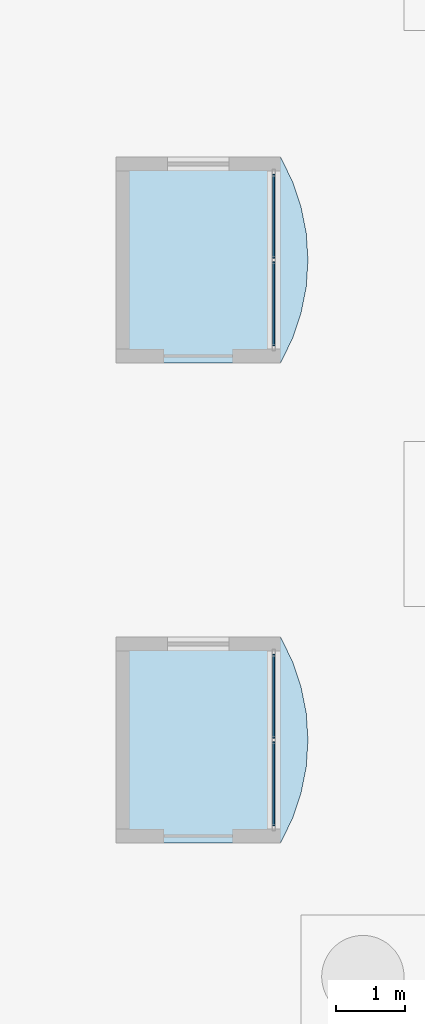
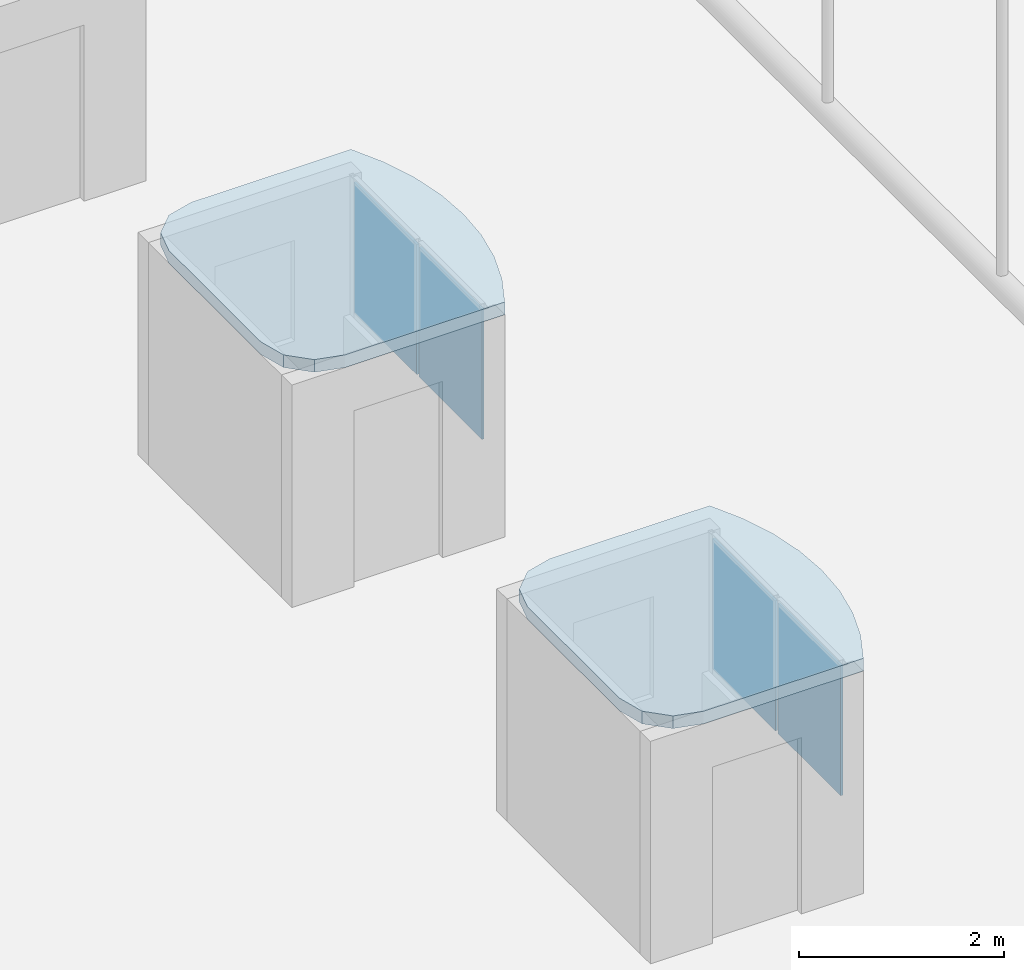
# One storey, part 168 of 212: 4 plates, 2 slabs, 2 elements without a shape of their own.
"""IFC4 building model written with IfcOpenShell, lengths in metres."""

from ifc_helpers import new_model, si_unit, direction, frame, origin, origin_2d, place, context, subcontext, project, spatial, polyline, rectangle, outline, extrude, material, layer, layer_set, type_object, element, aggregate, save


model = new_model("IFC4")

# Units and contexts
model_context = context("Model", 3, precision=1e-05, world=origin(), true_north=direction((0.0, 1.0)))
body_context = subcontext(model_context, "Body", "Model", "MODEL_VIEW")
ifc_project = project(units=[si_unit("LENGTHUNIT", "METRE"), si_unit("AREAUNIT", "SQUARE_METRE"), si_unit("VOLUMEUNIT", "CUBIC_METRE"), si_unit("PLANEANGLEUNIT", "RADIAN"), si_unit("MASSUNIT", "GRAM", prefix="KILO")], contexts=[model_context])

# Site, building, storey
site_placement = place(None, origin())
site = spatial("IfcSite", under=ifc_project, at=site_placement, CompositionType="ELEMENT")
building_placement = place(site_placement, origin())
building = spatial("IfcBuilding", under=site, at=building_placement, Name="Catenary Quay Ferry Terminal", CompositionType="ELEMENT")
storey_placement = place(building_placement, origin())
storey = spatial("IfcBuildingStorey", under=building, at=storey_placement, Name="L00", CompositionType="ELEMENT", Elevation=0.0)

# Slabs
ifc_material_1 = material(Name="Concrete C35/45", Category="concrete")
ifc_layer_1 = layer(ifc_material_1, 0.14990234375)
ifc_layer_set_1 = layer_set([ifc_layer_1], Name="BR1")
slab_type = type_object("IfcSlabType", Name="BR1", PredefinedType="ROOF", material=ifc_layer_set_1)
slab_1_placement = place(storey_placement, frame((0.0, 0.0, 2.64990234375)))
element("IfcSlab", 1, at=slab_1_placement, inside=storey, type_object=slab_type, Name="Booth roof slab BR1", PredefinedType="ROOF", context=body_context, shape_type="SweptSolid", body=[
    extrude(outline(polyline([(13.800048828125, 20.550048828125), (13.972900390625, 20.902099609375), (14.098388671875, 21.273681640625), (14.174560546875, 21.65869140625), (14.199951171875, 22.050048828125), (14.174560546875, 22.44140625), (14.098388671875, 22.826171875), (13.972900390625, 23.19775390625), (13.800048828125, 23.550048828125), (12.0, 23.550048828125), (11.699951171875, 23.469482421875), (11.48046875, 23.25), (11.39990234375, 22.949951171875), (11.39990234375, 21.14990234375), (11.48046875, 20.85009765625), (11.699951171875, 20.63037109375), (12.0, 20.550048828125), (13.800048828125, 20.550048828125)])), origin(), (0.0, 0.0, 1.0), 0.150146484375),
])
slab_2_placement = place(storey_placement, frame((0.0, 0.0, 2.64990234375)))
element("IfcSlab", 2, at=slab_2_placement, inside=storey, type_object=slab_type, Name="Booth roof slab BR1", PredefinedType="ROOF", context=body_context, shape_type="SweptSolid", body=[
    extrude(outline(polyline([(13.800048828125, 27.550048828125), (13.972900390625, 27.902099609375), (14.098388671875, 28.273681640625), (14.174560546875, 28.65869140625), (14.199951171875, 29.050048828125), (14.174560546875, 29.44140625), (14.098388671875, 29.826171875), (13.972900390625, 30.19775390625), (13.800048828125, 30.550048828125), (12.0, 30.550048828125), (11.699951171875, 30.469482421875), (11.48046875, 30.25), (11.39990234375, 29.949951171875), (11.39990234375, 28.14990234375), (11.48046875, 27.85009765625), (11.699951171875, 27.63037109375), (12.0, 27.550048828125), (13.800048828125, 27.550048828125)])), origin(), (0.0, 0.0, 1.0), 0.150146484375),
])

# Curtain wall, plates
ifc_material_2 = material(Name="Aluminium and glass", Category="aluminium")
curtain_wall_type = type_object("IfcCurtainWallType", Name="CWV", PredefinedType="NOTDEFINED", material=ifc_material_2)
curtain_wall_1_placement = place(storey_placement, origin())
curtain_wall_1 = element("IfcCurtainWall", 3, at=curtain_wall_1_placement, inside=storey, type_object=curtain_wall_type, Name="Booth curtain wall CW163", PredefinedType="NOTDEFINED")
ifc_material_3 = material(Name="Glass", Category="glass")
ifc_layer_2 = layer(ifc_material_3, 0.02490234375)
ifc_layer_set_2 = layer_set([ifc_layer_2], Name="PN3")
plate_type = type_object("IfcPlateType", Name="PN3", PredefinedType="CURTAIN_PANEL", material=ifc_layer_set_2)
plate_1_placement = place(storey_placement, frame((13.699951171875, 21.41259765625, 1.0498046875), z_axis=(0.0, 0.0, 1.0), x_axis=(0.0, 1.0, 0.0)))
plate_1 = element("IfcPlate", 4, at=plate_1_placement, type_object=plate_type, Name="CW163 panel 1.1", PredefinedType="CURTAIN_PANEL", context=body_context, shape_type="SweptSolid", body=[
    extrude(rectangle(XDim=1.22509765625, YDim=0.02490234375, at=origin_2d()), origin(), (0.0, 0.0, 1.0), 1.550048828125),
])
plate_2_placement = place(storey_placement, frame((13.699951171875, 22.6875, 1.0498046875), z_axis=(0.0, 0.0, 1.0), x_axis=(0.0, 1.0, 0.0)))
plate_2 = element("IfcPlate", 5, at=plate_2_placement, type_object=plate_type, Name="CW163 panel 2.1", PredefinedType="CURTAIN_PANEL", context=body_context, shape_type="SweptSolid", body=[
    extrude(rectangle(XDim=1.22509765625, YDim=0.02490234375, at=origin_2d()), origin(), (0.0, 0.0, 1.0), 1.550048828125),
])
aggregate(curtain_wall_1, [plate_1, plate_2])

curtain_wall_2_placement = place(storey_placement, origin())
curtain_wall_2 = element("IfcCurtainWall", 6, at=curtain_wall_2_placement, inside=storey, type_object=curtain_wall_type, Name="Booth curtain wall CW164", PredefinedType="NOTDEFINED")
plate_3_placement = place(storey_placement, frame((13.699951171875, 28.41259765625, 1.0498046875), z_axis=(0.0, 0.0, 1.0), x_axis=(0.0, 1.0, 0.0)))
plate_3 = element("IfcPlate", 7, at=plate_3_placement, type_object=plate_type, Name="CW164 panel 1.1", PredefinedType="CURTAIN_PANEL", context=body_context, shape_type="SweptSolid", body=[
    extrude(rectangle(XDim=1.22509765625, YDim=0.02490234375, at=origin_2d()), origin(), (0.0, 0.0, 1.0), 1.550048828125),
])
plate_4_placement = place(storey_placement, frame((13.699951171875, 29.6875, 1.0498046875), z_axis=(0.0, 0.0, 1.0), x_axis=(0.0, 1.0, 0.0)))
plate_4 = element("IfcPlate", 8, at=plate_4_placement, type_object=plate_type, Name="CW164 panel 2.1", PredefinedType="CURTAIN_PANEL", context=body_context, shape_type="SweptSolid", body=[
    extrude(rectangle(XDim=1.22509765625, YDim=0.02490234375, at=origin_2d()), origin(), (0.0, 0.0, 1.0), 1.550048828125),
])
aggregate(curtain_wall_2, [plate_3, plate_4])

save(model, "model.ifc")
